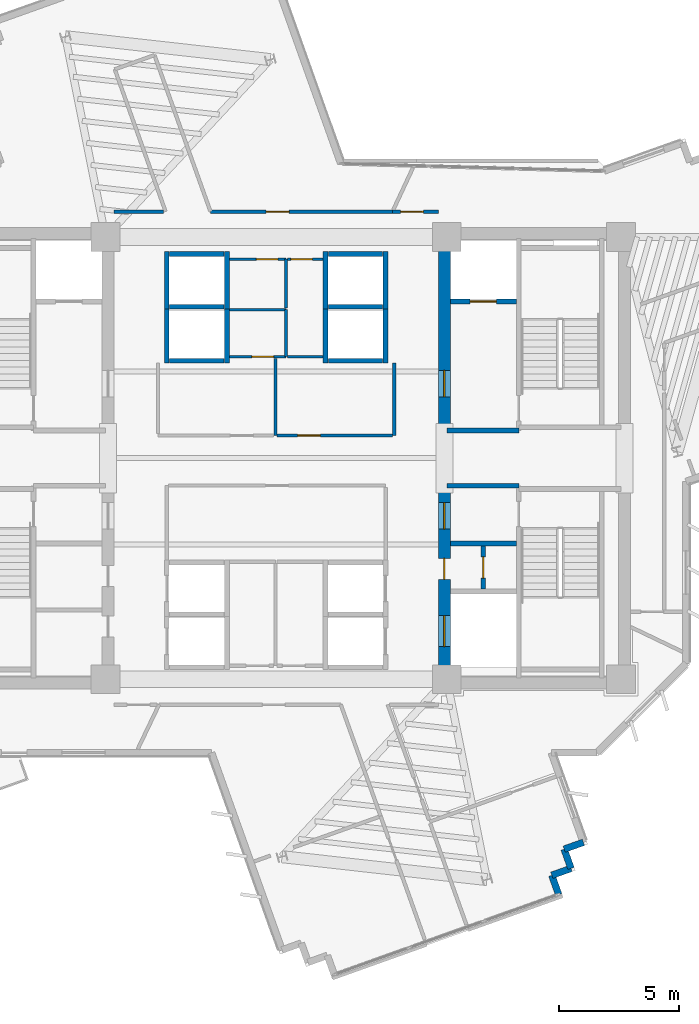
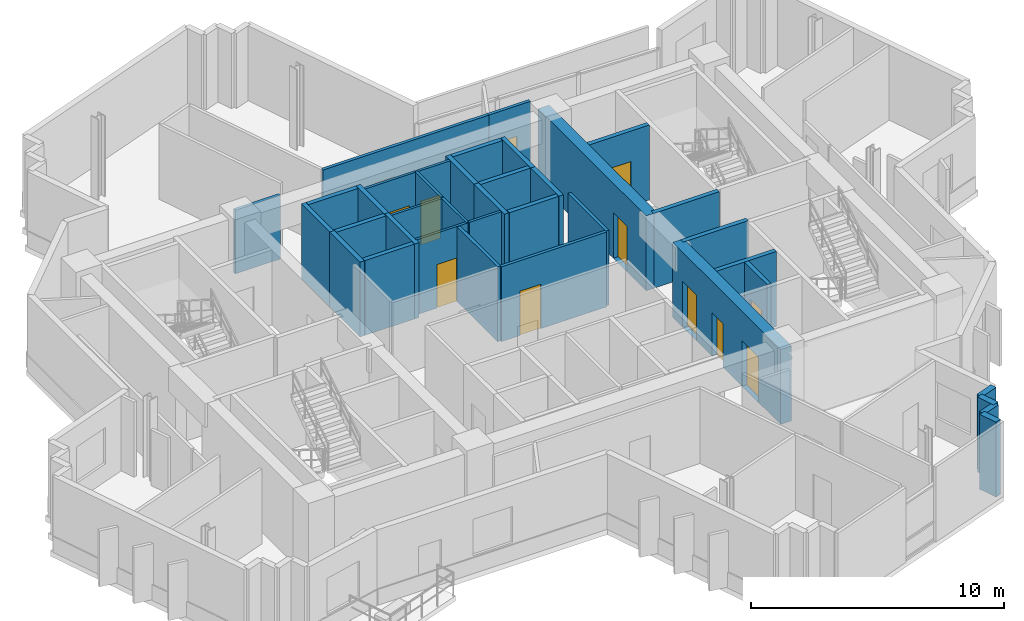
# One storey, part 8 of 13: 38 walls, 12 doors, 12 openings.
"""IFC4 building model written with IfcOpenShell, lengths in metres."""

from ifc_helpers import new_model, si_unit, direction, frame, frame_2d, origin, place, context, subcontext, project, spatial, rectangle, extrude, source, transform, mapped, material, layer, layer_set, type_object, element, fill, save


model = new_model("IFC4")

# Units and contexts
model_context = context("Model", 3, precision=1e-05, world=origin(), true_north=direction((0.0, 1.0)))
body_context = subcontext(model_context, "Body", "Model", "MODEL_VIEW")
ifc_project = project(units=[si_unit("LENGTHUNIT", "METRE"), si_unit("AREAUNIT", "SQUARE_METRE"), si_unit("VOLUMEUNIT", "CUBIC_METRE"), si_unit("PLANEANGLEUNIT", "RADIAN"), si_unit("MASSUNIT", "GRAM", prefix="KILO")], contexts=[model_context])

# Site, building, storey
site_placement = place(None, origin())
site = spatial("IfcSite", under=ifc_project, at=site_placement, CompositionType="ELEMENT")
building_placement = place(site_placement, origin())
building = spatial("IfcBuilding", under=site, at=building_placement, Name="Zahravan Cultural Tower", CompositionType="ELEMENT")
storey_placement = place(building_placement, frame((0.0, 0.0, 221.39990234375)))
storey = spatial("IfcBuildingStorey", under=building, at=storey_placement, Name="L52", CompositionType="ELEMENT", Elevation=221.39990234375)

# Wall, openings, doors
ifc_material_1 = material(Name="Concrete C60/75", Category="concrete")
ifc_layer_1 = layer(ifc_material_1, 0.5)
ifc_layer_set_1 = layer_set([ifc_layer_1], Name="Concrete C60/75")
wall_type_1 = type_object("IfcWallType", Name="CW-SHEAR-500-C60", PredefinedType="SHEAR", material=ifc_layer_set_1)
wall_1_placement = place(storey_placement, frame((43.0, 17.39990234375, 0.0), z_axis=(0.0, 0.0, 1.0), x_axis=(0.0, 1.0, 0.0)))
wall_1 = element("IfcWall", 1, at=wall_1_placement, inside=storey, type_object=wall_type_1, Name="L52 Core Shear Wall CW-E-WS-L52", PredefinedType="SHEAR", context=body_context, shape_type="SweptSolid", body=[
    extrude(rectangle(XDim=8.550048828125, YDim=0.5, at=frame_2d((4.27490234375, 0.0))), origin(), (0.0, 0.0, 1.0), 3.6201171875),
])
opening_1_placement = place(wall_1_placement, frame((6.64990234375, 0.0, 0.0)))
opening_1 = element("IfcOpeningElement", 2, at=opening_1_placement, cuts=wall_1, Name="Opening D-L52-08", PredefinedType="OPENING", context=body_context, shape_type="SweptSolid", body=[
    extrude(rectangle(XDim=1.10009765625, YDim=2.199951171875, at=frame_2d((0.550048828125, 1.10009765625))), frame((0.0, 0.260009765625, 0.0), z_axis=(0.0, -1.0, 0.0), x_axis=(1.0, 0.0, 0.0)), (0.0, 0.0, 1.0), 0.52001953125),
])
opening_2_placement = place(wall_1_placement, frame((1.75, 0.0, 0.0)))
opening_2 = element("IfcOpeningElement", 3, at=opening_2_placement, cuts=wall_1, Name="Opening LD-L52-03", PredefinedType="OPENING", context=body_context, shape_type="SweptSolid", body=[
    extrude(rectangle(XDim=1.300048828125, YDim=2.199951171875, at=frame_2d((0.64990234375, 1.10009765625))), frame((0.0, 0.260009765625, 0.0), z_axis=(0.0, -1.0, 0.0), x_axis=(1.0, 0.0, 0.0)), (0.0, 0.0, 1.0), 0.52001953125),
])
opening_3_placement = place(wall_1_placement, frame((4.550048828125, 0.0, 0.0)))
opening_3 = element("IfcOpeningElement", 4, at=opening_3_placement, cuts=wall_1, Name="Opening D-L52-11", PredefinedType="OPENING", context=body_context, shape_type="SweptSolid", body=[
    extrude(rectangle(XDim=0.8798828125, YDim=2.10009765625, at=frame_2d((0.43994140625, 1.050048828125))), frame((0.0, 0.260009765625, 0.0), z_axis=(0.0, -1.0, 0.0), x_axis=(1.0, 0.0, 0.0)), (0.0, 0.0, 1.0), 0.52001953125),
])
ifc_material_2 = material(Name="Steel ASTM A572 Grade 50", Category="steel")
door_type_1 = type_object("IfcDoorType", Name="DR-LOBBY-1100", OperationType="NOTDEFINED", PredefinedType="DOOR", material=ifc_material_2)
shared_shape_1 = source(origin(), body_context, "Body", "SweptSolid", [
    extrude(rectangle(XDim=1.10009765625, YDim=2.199951171875, at=frame_2d((0.550048828125, 1.10009765625))), frame((0.0, 0.02490234375, 0.0), z_axis=(0.0, -1.0, 0.0), x_axis=(1.0, 0.0, 0.0)), (0.0, 0.0, 1.0), 0.050048828125),
])
door_1_placement = place(opening_1_placement, origin())
door_1 = element("IfcDoor", 5, at=door_1_placement, inside=storey, type_object=door_type_1, Name="L52 Door D-L52-08", OperationType="SINGLE_SWING_LEFT", OverallHeight=2.199951171875, OverallWidth=1.10009765625, PredefinedType="DOOR", context=body_context, shape_type="MappedRepresentation", body=[
    mapped(shared_shape_1, transform((0.0, 0.0, 0.0), x_axis=(1.0, 0.0, 0.0), y_axis=(0.0, 1.0, 0.0), z_axis=(0.0, 0.0, 1.0), scale=1.0)),
])
fill(opening_1, door_1)
door_type_2 = type_object("IfcDoorType", Name="DR-LIFT-1300", OperationType="DOUBLE_DOOR_SLIDING", PredefinedType="DOOR", material=ifc_material_2)
shared_shape_2 = source(origin(), body_context, "Body", "SweptSolid", [
    extrude(rectangle(XDim=1.300048828125, YDim=2.199951171875, at=frame_2d((0.64990234375, 1.10009765625))), frame((0.0, 0.02490234375, 0.0), z_axis=(0.0, -1.0, 0.0), x_axis=(1.0, 0.0, 0.0)), (0.0, 0.0, 1.0), 0.050048828125),
])
door_2_placement = place(opening_2_placement, origin())
door_2 = element("IfcDoor", 6, at=door_2_placement, inside=storey, type_object=door_type_2, Name="L52 Door LD-L52-03", OperationType="DOUBLE_DOOR_SLIDING", OverallHeight=2.199951171875, OverallWidth=1.300048828125, PredefinedType="DOOR", context=body_context, shape_type="MappedRepresentation", body=[
    mapped(shared_shape_2, transform((0.0, 0.0, 0.0), x_axis=(1.0, 0.0, 0.0), y_axis=(0.0, 1.0, 0.0), z_axis=(0.0, 0.0, 1.0), scale=1.0)),
])
fill(opening_2, door_2)
door_type_3 = type_object("IfcDoorType", Name="DR-SVC-880", OperationType="NOTDEFINED", PredefinedType="DOOR", material=ifc_material_2)
shared_shape_3 = source(origin(), body_context, "Body", "SweptSolid", [
    extrude(rectangle(XDim=0.8798828125, YDim=2.10009765625, at=frame_2d((0.43994140625, 1.050048828125))), frame((0.0, 0.02490234375, 0.0), z_axis=(0.0, -1.0, 0.0), x_axis=(1.0, 0.0, 0.0)), (0.0, 0.0, 1.0), 0.050048828125),
])
door_3_placement = place(opening_3_placement, origin())
door_3 = element("IfcDoor", 7, at=door_3_placement, inside=storey, type_object=door_type_3, Name="L52 Door D-L52-11", OperationType="SINGLE_SWING_RIGHT", OverallHeight=2.10009765625, OverallWidth=0.8798828125, PredefinedType="DOOR", context=body_context, shape_type="MappedRepresentation", body=[
    mapped(shared_shape_3, transform((0.0, 0.0, 0.0), x_axis=(1.0, 0.0, 0.0), y_axis=(0.0, 1.0, 0.0), z_axis=(0.0, 0.0, 1.0), scale=1.0)),
])
fill(opening_3, door_3)

# Wall, opening, door
wall_2_placement = place(storey_placement, frame((43.0, 28.050048828125, 0.0), z_axis=(0.0, 0.0, 1.0), x_axis=(0.0, 1.0, 0.0)))
wall_2 = element("IfcWall", 8, at=wall_2_placement, inside=storey, type_object=wall_type_1, Name="L52 Core Shear Wall CW-E-WN-L52", PredefinedType="SHEAR", context=body_context, shape_type="SweptSolid", body=[
    extrude(rectangle(XDim=8.550048828125, YDim=0.5, at=frame_2d((4.27490234375, 0.0))), origin(), (0.0, 0.0, 1.0), 3.6201171875),
])
opening_4_placement = place(wall_2_placement, frame((1.5, 0.0, 0.0)))
opening_4 = element("IfcOpeningElement", 9, at=opening_4_placement, cuts=wall_2, Name="Opening D-L52-06", PredefinedType="OPENING", context=body_context, shape_type="SweptSolid", body=[
    extrude(rectangle(XDim=1.10009765625, YDim=2.199951171875, at=frame_2d((0.550048828125, 1.10009765625))), frame((0.0, 0.260009765625, 0.0), z_axis=(0.0, -1.0, 0.0), x_axis=(1.0, 0.0, 0.0)), (0.0, 0.0, 1.0), 0.52001953125),
])
door_4_placement = place(opening_4_placement, origin())
door_4 = element("IfcDoor", 10, at=door_4_placement, inside=storey, type_object=door_type_1, Name="L52 Door D-L52-06", OperationType="SINGLE_SWING_LEFT", OverallHeight=2.199951171875, OverallWidth=1.10009765625, PredefinedType="DOOR", context=body_context, shape_type="MappedRepresentation", body=[
    mapped(shared_shape_1, transform((0.0, 0.0, 0.0), x_axis=(1.0, 0.0, 0.0), y_axis=(0.0, 1.0, 0.0), z_axis=(0.0, 0.0, 1.0), scale=1.0)),
])
fill(opening_4, door_4)

ifc_material_3 = material(Name="Gypsum plasterboard partition")
ifc_layer_2 = layer(ifc_material_3, 0.179931640625)
ifc_layer_set_2 = layer_set([ifc_layer_2], Name="Gypsum plasterboard partition")
wall_type_2 = type_object("IfcWallType", Name="W-COMP-180", PredefinedType="PARTITIONING", material=ifc_layer_set_2)
wall_3_placement = place(storey_placement, frame((44.6201171875, 21.550048828125, 0.0), z_axis=(0.0, 0.0, 1.0), x_axis=(0.0, 1.0, 0.0)))
wall_3 = element("IfcWall", 11, at=wall_3_placement, inside=storey, type_object=wall_type_2, Name="L52 Interior Wall 027", PredefinedType="PARTITIONING", context=body_context, shape_type="SweptSolid", body=[
    extrude(rectangle(XDim=1.800048828125, YDim=0.179931640625, at=frame_2d((0.89990234375, 0.0))), origin(), (0.0, 0.0, 1.0), 3.6201171875),
])
opening_5_placement = place(wall_3_placement, frame((0.4599609375, 0.0, 0.0)))
opening_5 = element("IfcOpeningElement", 12, at=opening_5_placement, cuts=wall_3, Name="Opening D-L52-12", PredefinedType="OPENING", context=body_context, shape_type="SweptSolid", body=[
    extrude(rectangle(XDim=0.8798828125, YDim=2.10009765625, at=frame_2d((0.43994140625, 1.050048828125))), frame((0.0, 0.099853515625, 0.0), z_axis=(0.0, -1.0, 0.0), x_axis=(1.0, 0.0, 0.0)), (0.0, 0.0, 1.0), 0.199951171875),
])
door_5_placement = place(opening_5_placement, origin())
door_5 = element("IfcDoor", 13, at=door_5_placement, inside=storey, type_object=door_type_3, Name="L52 Door D-L52-12", OperationType="SINGLE_SWING_LEFT", OverallHeight=2.10009765625, OverallWidth=0.8798828125, PredefinedType="DOOR", context=body_context, shape_type="MappedRepresentation", body=[
    mapped(shared_shape_3, transform((0.0, 0.0, 0.0), x_axis=(1.0, 0.0, 0.0), y_axis=(0.0, 1.0, 0.0), z_axis=(0.0, 0.0, 1.0), scale=1.0)),
])
fill(opening_5, door_5)

ifc_layer_3 = layer(ifc_material_3, 0.139892578125)
ifc_layer_set_3 = layer_set([ifc_layer_3], Name="Gypsum plasterboard partition")
wall_type_3 = type_object("IfcWallType", Name="W-PART-140", PredefinedType="PARTITIONING", material=ifc_layer_set_3)
wall_4_placement = place(storey_placement, frame((40.844970703125, 27.93994140625, 0.0), z_axis=(0.0, 0.0, 1.0), x_axis=(-1.0, 0.0, 0.0)))
wall_4 = element("IfcWall", 14, at=wall_4_placement, inside=storey, type_object=wall_type_3, Name="L52 Interior Wall 082", PredefinedType="PARTITIONING", context=body_context, shape_type="SweptSolid", body=[
    extrude(rectangle(XDim=4.800048828125, YDim=0.139892578125, at=frame_2d((2.39990234375, 0.0))), origin(), (0.0, 0.0, 1.0), 3.6201171875),
])
opening_6_placement = place(wall_4_placement, frame((3.0029296875, 0.0, 0.0)))
opening_6 = element("IfcOpeningElement", 15, at=opening_6_placement, cuts=wall_4, Name="Opening D-L52-17", PredefinedType="OPENING", context=body_context, shape_type="SweptSolid", body=[
    extrude(rectangle(XDim=0.949951171875, YDim=2.14990234375, at=frame_2d((0.47509765625, 1.074951171875))), frame((0.0, 0.079833984375, 0.0), z_axis=(0.0, -1.0, 0.0), x_axis=(1.0, 0.0, 0.0)), (0.0, 0.0, 1.0), 0.159912109375),
])
ifc_material_4 = material(Name="Anodised bronze-aluminium mullion", Category="aluminium")
door_type_4 = type_object("IfcDoorType", Name="DR-ROOM-950", OperationType="NOTDEFINED", PredefinedType="DOOR", material=ifc_material_4)
shared_shape_4 = source(origin(), body_context, "Body", "SweptSolid", [
    extrude(rectangle(XDim=0.949951171875, YDim=2.14990234375, at=frame_2d((0.47509765625, 1.074951171875))), frame((0.0, 0.02490234375, 0.0), z_axis=(0.0, -1.0, 0.0), x_axis=(1.0, 0.0, 0.0)), (0.0, 0.0, 1.0), 0.050048828125),
])
door_6_placement = place(opening_6_placement, origin())
door_6 = element("IfcDoor", 16, at=door_6_placement, inside=storey, type_object=door_type_4, Name="L52 Door D-L52-17", OperationType="SINGLE_SWING_RIGHT", OverallHeight=2.14990234375, OverallWidth=0.949951171875, PredefinedType="DOOR", context=body_context, shape_type="MappedRepresentation", body=[
    mapped(shared_shape_4, transform((0.0, 0.0, 0.0), x_axis=(1.0, 0.0, 0.0), y_axis=(0.0, 1.0, 0.0), z_axis=(0.0, 0.0, 1.0), scale=1.0)),
])
fill(opening_6, door_6)

wall_5_placement = place(storey_placement, frame((42.748291015625, 37.25732421875, 0.0), z_axis=(0.0, 0.0, 1.0), x_axis=(-0.999999008896, 0.001407908498, 0.0)))
wall_5 = element("IfcWall", 17, at=wall_5_placement, inside=storey, type_object=wall_type_3, Name="L52 Interior Wall 102", PredefinedType="PARTITIONING", context=body_context, shape_type="SweptSolid", body=[
    extrude(rectangle(XDim=1.907470703125, YDim=0.139892578125, at=frame_2d((0.95361328125, 0.0))), origin(), (0.0, 0.0, 1.0), 3.6201171875),
])
opening_7_placement = place(wall_5_placement, frame((0.622314453125, 0.0, 0.0)))
opening_7 = element("IfcOpeningElement", 18, at=opening_7_placement, cuts=wall_5, Name="Opening D-L52-22", PredefinedType="OPENING", context=body_context, shape_type="SweptSolid", body=[
    extrude(rectangle(XDim=0.949951171875, YDim=2.14990234375, at=frame_2d((0.47509765625, 1.074951171875))), frame((0.0, 0.079833984375, 0.0), z_axis=(0.0, -1.0, 0.0), x_axis=(1.0, 0.0, 0.0)), (0.0, 0.0, 1.0), 0.159912109375),
])
door_7_placement = place(opening_7_placement, origin())
door_7 = element("IfcDoor", 19, at=door_7_placement, inside=storey, type_object=door_type_4, Name="L52 Door D-L52-22", OperationType="SINGLE_SWING_LEFT", OverallHeight=2.14990234375, OverallWidth=0.949951171875, PredefinedType="DOOR", context=body_context, shape_type="MappedRepresentation", body=[
    mapped(shared_shape_4, transform((0.0, 0.0, 0.0), x_axis=(1.0, 0.0, 0.0), y_axis=(0.0, 1.0, 0.0), z_axis=(0.0, 0.0, 1.0), scale=1.0)),
])
fill(opening_7, door_7)

wall_6_placement = place(storey_placement, frame((40.8408203125, 37.260009765625, 0.0), z_axis=(0.0, 0.0, 1.0), x_axis=(-1.0, 0.0, 0.0)))
wall_6 = element("IfcWall", 20, at=wall_6_placement, inside=storey, type_object=wall_type_3, Name="L52 Interior Wall 109", PredefinedType="PARTITIONING", context=body_context, shape_type="SweptSolid", body=[
    extrude(rectangle(XDim=7.5732421875, YDim=0.139892578125, at=frame_2d((3.78662109375, 0.0))), origin(), (0.0, 0.0, 1.0), 3.6201171875),
])
opening_8_placement = place(wall_6_placement, frame((4.304931640625, 0.0, 0.0)))
opening_8 = element("IfcOpeningElement", 21, at=opening_8_placement, cuts=wall_6, Name="Opening D-L52-23", PredefinedType="OPENING", context=body_context, shape_type="SweptSolid", body=[
    extrude(rectangle(XDim=0.949951171875, YDim=2.14990234375, at=frame_2d((0.47509765625, 1.074951171875))), frame((0.0, 0.079833984375, 0.0), z_axis=(0.0, -1.0, 0.0), x_axis=(1.0, 0.0, 0.0)), (0.0, 0.0, 1.0), 0.159912109375),
])
door_8_placement = place(opening_8_placement, origin())
door_8 = element("IfcDoor", 22, at=door_8_placement, inside=storey, type_object=door_type_4, Name="L52 Door D-L52-23", OperationType="SINGLE_SWING_RIGHT", OverallHeight=2.14990234375, OverallWidth=0.949951171875, PredefinedType="DOOR", context=body_context, shape_type="MappedRepresentation", body=[
    mapped(shared_shape_4, transform((0.0, 0.0, 0.0), x_axis=(1.0, 0.0, 0.0), y_axis=(0.0, 1.0, 0.0), z_axis=(0.0, 0.0, 1.0), scale=1.0)),
])
fill(opening_8, door_8)

ifc_material_5 = material(Name="Concrete C45/55", Category="concrete")
ifc_layer_4 = layer(ifc_material_5, 0.199951171875)
ifc_layer_set_4 = layer_set([ifc_layer_4], Name="Concrete C45/55")
wall_type_4 = type_object("IfcWallType", Name="W-SHAFT-200", PredefinedType="SOLIDWALL", material=ifc_layer_set_4)
wall_7_placement = place(storey_placement, frame((43.25, 33.52001953125, 0.0), z_axis=(0.0, 0.0, 1.0), x_axis=(1.0, 0.0, 0.0)))
wall_7 = element("IfcWall", 23, at=wall_7_placement, inside=storey, type_object=wall_type_4, Name="L52 Interior Wall 022", PredefinedType="SOLIDWALL", context=body_context, shape_type="SweptSolid", body=[
    extrude(rectangle(XDim=2.75, YDim=0.199951171875, at=frame_2d((1.375, 0.0))), origin(), (0.0, 0.0, 1.0), 3.6201171875),
])
opening_9_placement = place(wall_7_placement, frame((0.820068359375, 0.0, 0.0)))
opening_9 = element("IfcOpeningElement", 24, at=opening_9_placement, cuts=wall_7, Name="Opening LD-L52-02", PredefinedType="OPENING", context=body_context, shape_type="SweptSolid", body=[
    extrude(rectangle(XDim=1.10009765625, YDim=2.14990234375, at=frame_2d((0.550048828125, 1.074951171875))), frame((0.0, 0.10986328125, 0.0), z_axis=(0.0, -1.0, 0.0), x_axis=(1.0, 0.0, 0.0)), (0.0, 0.0, 1.0), 0.219970703125),
])
door_type_5 = type_object("IfcDoorType", Name="DR-LIFT-1100", OperationType="DOUBLE_DOOR_SLIDING", PredefinedType="DOOR", material=ifc_material_2)
shared_shape_5 = source(origin(), body_context, "Body", "SweptSolid", [
    extrude(rectangle(XDim=1.10009765625, YDim=2.14990234375, at=frame_2d((0.550048828125, 1.074951171875))), frame((0.0, 0.02490234375, 0.0), z_axis=(0.0, -1.0, 0.0), x_axis=(1.0, 0.0, 0.0)), (0.0, 0.0, 1.0), 0.050048828125),
])
door_9_placement = place(opening_9_placement, origin())
door_9 = element("IfcDoor", 25, at=door_9_placement, inside=storey, type_object=door_type_5, Name="L52 Door LD-L52-02", OperationType="DOUBLE_DOOR_SLIDING", OverallHeight=2.14990234375, OverallWidth=1.10009765625, PredefinedType="DOOR", context=body_context, shape_type="MappedRepresentation", body=[
    mapped(shared_shape_5, transform((0.0, 0.0, 0.0), x_axis=(1.0, 0.0, 0.0), y_axis=(0.0, 1.0, 0.0), z_axis=(0.0, 0.0, 1.0), scale=1.0)),
])
fill(opening_9, door_9)

ifc_layer_5 = layer(ifc_material_3, 0.114990234375)
ifc_layer_set_5 = layer_set([ifc_layer_5], Name="Gypsum plasterboard partition")
wall_type_5 = type_object("IfcWallType", Name="W-WC-115", PredefinedType="PARTITIONING", material=ifc_layer_set_5)
wall_8_placement = place(storey_placement, frame((36.409912109375, 31.219970703125, 0.0), z_axis=(0.0, 0.0, 1.0), x_axis=(-1.0, 0.0, 0.0)))
wall_8 = element("IfcWall", 26, at=wall_8_placement, inside=storey, type_object=wall_type_5, Name="L52 Interior Wall 056", PredefinedType="PARTITIONING", context=body_context, shape_type="SweptSolid", body=[
    extrude(rectangle(XDim=2.35498046875, YDim=0.114990234375, at=frame_2d((1.177490234375, 0.0))), origin(), (0.0, 0.0, 1.0), 3.6201171875),
])
opening_10_placement = place(wall_8_placement, frame((0.5166015625, 0.0, 0.0)))
opening_10 = element("IfcOpeningElement", 27, at=opening_10_placement, cuts=wall_8, Name="Opening D-L52-29", PredefinedType="OPENING", context=body_context, shape_type="SweptSolid", body=[
    extrude(rectangle(XDim=0.89990234375, YDim=2.10009765625, at=frame_2d((0.449951171875, 1.050048828125))), frame((0.0, 0.0673828125, 0.0), z_axis=(0.0, -1.0, 0.0), x_axis=(1.0, 0.0, 0.0)), (0.0, 0.0, 1.0), 0.135009765625),
])
door_type_6 = type_object("IfcDoorType", Name="DR-WC-900", OperationType="NOTDEFINED", PredefinedType="DOOR", material=ifc_material_4)
shared_shape_6 = source(origin(), body_context, "Body", "SweptSolid", [
    extrude(rectangle(XDim=0.89990234375, YDim=2.10009765625, at=frame_2d((0.449951171875, 1.050048828125))), frame((0.0, 0.02490234375, 0.0), z_axis=(0.0, -1.0, 0.0), x_axis=(1.0, 0.0, 0.0)), (0.0, 0.0, 1.0), 0.050048828125),
])
door_10_placement = place(opening_10_placement, origin())
door_10 = element("IfcDoor", 28, at=door_10_placement, inside=storey, type_object=door_type_6, Name="L52 Door D-L52-29", OperationType="SINGLE_SWING_RIGHT", OverallHeight=2.10009765625, OverallWidth=0.89990234375, PredefinedType="DOOR", context=body_context, shape_type="MappedRepresentation", body=[
    mapped(shared_shape_6, transform((0.0, 0.0, 0.0), x_axis=(1.0, 0.0, 0.0), y_axis=(0.0, 1.0, 0.0), z_axis=(0.0, 0.0, 1.0), scale=1.0)),
])
fill(opening_10, door_10)

wall_9_placement = place(storey_placement, frame((34.054931640625, 35.280029296875, 0.0), z_axis=(0.0, 0.0, 1.0), x_axis=(1.0, 0.0, 0.0)))
wall_9 = element("IfcWall", 29, at=wall_9_placement, inside=storey, type_object=wall_type_5, Name="L52 Interior Wall 059", PredefinedType="PARTITIONING", context=body_context, shape_type="SweptSolid", body=[
    extrude(rectangle(XDim=2.35498046875, YDim=0.114990234375, at=frame_2d((1.177490234375, 0.0))), origin(), (0.0, 0.0, 1.0), 3.6201171875),
])
opening_11_placement = place(wall_9_placement, frame((1.120849609375, 0.0, 0.0)))
opening_11 = element("IfcOpeningElement", 30, at=opening_11_placement, cuts=wall_9, Name="Opening D-L52-14", PredefinedType="OPENING", context=body_context, shape_type="SweptSolid", body=[
    extrude(rectangle(XDim=0.89990234375, YDim=2.10009765625, at=frame_2d((0.449951171875, 1.050048828125))), frame((0.0, 0.0673828125, 0.0), z_axis=(0.0, -1.0, 0.0), x_axis=(1.0, 0.0, 0.0)), (0.0, 0.0, 1.0), 0.135009765625),
])
door_11_placement = place(opening_11_placement, origin())
door_11 = element("IfcDoor", 31, at=door_11_placement, inside=storey, type_object=door_type_6, Name="L52 Door D-L52-14", OperationType="SINGLE_SWING_LEFT", OverallHeight=2.10009765625, OverallWidth=0.89990234375, PredefinedType="DOOR", context=body_context, shape_type="MappedRepresentation", body=[
    mapped(shared_shape_6, transform((0.0, 0.0, 0.0), x_axis=(1.0, 0.0, 0.0), y_axis=(0.0, 1.0, 0.0), z_axis=(0.0, 0.0, 1.0), scale=1.0)),
])
fill(opening_11, door_11)

wall_10_placement = place(storey_placement, frame((36.472412109375, 35.280029296875, 0.0), z_axis=(0.0, 0.0, 1.0), x_axis=(1.0, 0.0, 0.0)))
wall_10 = element("IfcWall", 32, at=wall_10_placement, inside=storey, type_object=wall_type_5, Name="L52 Interior Wall 062", PredefinedType="PARTITIONING", context=body_context, shape_type="SweptSolid", body=[
    extrude(rectangle(XDim=1.47265625, YDim=0.114990234375, at=frame_2d((0.736328125, 0.0))), origin(), (0.0, 0.0, 1.0), 3.6201171875),
])
opening_12_placement = place(wall_10_placement, frame((0.139892578125, 0.0, 0.0)))
opening_12 = element("IfcOpeningElement", 33, at=opening_12_placement, cuts=wall_10, Name="Opening D-L52-15", PredefinedType="OPENING", context=body_context, shape_type="SweptSolid", body=[
    extrude(rectangle(XDim=0.89990234375, YDim=2.10009765625, at=frame_2d((0.449951171875, 1.050048828125))), frame((0.0, 0.0673828125, 0.0), z_axis=(0.0, -1.0, 0.0), x_axis=(1.0, 0.0, 0.0)), (0.0, 0.0, 1.0), 0.135009765625),
])
door_12_placement = place(opening_12_placement, origin())
door_12 = element("IfcDoor", 34, at=door_12_placement, inside=storey, type_object=door_type_6, Name="L52 Door D-L52-15", OperationType="SINGLE_SWING_RIGHT", OverallHeight=2.10009765625, OverallWidth=0.89990234375, PredefinedType="DOOR", context=body_context, shape_type="MappedRepresentation", body=[
    mapped(shared_shape_6, transform((0.0, 0.0, 0.0), x_axis=(1.0, 0.0, 0.0), y_axis=(0.0, 1.0, 0.0), z_axis=(0.0, 0.0, 1.0), scale=1.0)),
])
fill(opening_12, door_12)

# Walls
ifc_material_6 = material(Name="Precast concrete C40/50", Category="concrete")
ifc_layer_6 = layer(ifc_material_6, 0.280029296875)
ifc_layer_set_6 = layer_set([ifc_layer_6], Name="Precast concrete C40/50")
wall_type_6 = type_object("IfcWallType", Name="EW-TC-280", PredefinedType="SOLIDWALL", material=ifc_layer_set_6)
shared_shape_7 = source(origin(), body_context, "Body", "SweptSolid", [
    extrude(rectangle(XDim=0.85009765625, YDim=0.280029296875, at=frame_2d((0.425048828125, 0.0))), origin(), (0.0, 0.0, 1.0), 3.6201171875),
])
wall_11_placement = place(storey_placement, frame((48.787109375, 11.0107421875, 0.0), z_axis=(0.0, 0.0, 1.0), x_axis=(-0.941657417713, -0.336572886112, 0.0)))
element("IfcWall", 35, at=wall_11_placement, inside=storey, type_object=wall_type_6, Name="L52 Exterior Masonry Frame Wall 16", PredefinedType="SOLIDWALL", context=body_context, shape_type="MappedRepresentation", body=[
    mapped(shared_shape_7, transform((0.0, 0.0, 0.0), x_axis=(1.0, 0.0, 0.0), y_axis=(0.0, 1.0, 0.0), z_axis=(0.0, 0.0, 1.0), scale=1.0)),
])
shared_shape_8 = source(origin(), body_context, "Body", "SweptSolid", [
    extrude(rectangle(XDim=0.849853515625, YDim=0.280029296875, at=frame_2d((0.4248046875, 0.0))), origin(), (0.0, 0.0, 1.0), 3.6201171875),
])
for number, where, z_axis, x_axis, name in (
    (36, (47.986572265625, 10.724609375, 0.0), (0.0, 0.0, 1.0), (0.33666392638, -0.941624872587, 0.0), "L52 Exterior Masonry Frame Wall 17"),
    (37, (48.272705078125, 9.92431640625, 0.0), (0.0, 0.0, 1.0), (-0.941624872587, -0.33666392638, 0.0), "L52 Exterior Masonry Frame Wall 18"),
    (38, (47.472412109375, 9.63818359375, 0.0), (0.0, 0.0, 1.0), (0.336409191858, -0.941715910258, 0.0), "L52 Exterior Masonry Frame Wall 19"),
):
    element("IfcWall", number, at=place(storey_placement, frame(where, z_axis=z_axis, x_axis=x_axis)), inside=storey, type_object=wall_type_6, Name=name, PredefinedType="SOLIDWALL", context=body_context, shape_type="MappedRepresentation", body=[
        mapped(shared_shape_8, transform((0.0, 0.0, 0.0), x_axis=(1.0, 0.0, 0.0), y_axis=(0.0, 1.0, 0.0), z_axis=(0.0, 0.0, 1.0), scale=1.0)),
    ])
shared_shape_9 = source(origin(), body_context, "Body", "SweptSolid", [
    extrude(rectangle(XDim=3.0, YDim=0.199951171875, at=frame_2d((1.5, 0.0))), origin(), (0.0, 0.0, 1.0), 3.6201171875),
])
for number, where, z_axis, x_axis, name in (
    (39, (43.10009765625, 25.85009765625, 0.0), (0.0, 0.0, 1.0), (1.0, 0.0, 0.0), "L52 Interior Wall 013"),
    (40, (43.10009765625, 28.14990234375, 0.0), (0.0, 0.0, 1.0), (1.0, 0.0, 0.0), "L52 Interior Wall 015"),
):
    element("IfcWall", number, at=place(storey_placement, frame(where, z_axis=z_axis, x_axis=x_axis)), inside=storey, type_object=wall_type_4, Name=name, PredefinedType="SOLIDWALL", context=body_context, shape_type="MappedRepresentation", body=[
        mapped(shared_shape_9, transform((0.0, 0.0, 0.0), x_axis=(1.0, 0.0, 0.0), y_axis=(0.0, 1.0, 0.0), z_axis=(0.0, 0.0, 1.0), scale=1.0)),
    ])
shared_shape_10 = source(origin(), body_context, "Body", "SweptSolid", [
    extrude(rectangle(XDim=2.75, YDim=0.199951171875, at=frame_2d((1.375, 0.0))), origin(), (0.0, 0.0, 1.0), 3.6201171875),
])
wall_12_placement = place(storey_placement, frame((43.25, 23.449951171875, 0.0), z_axis=(0.0, 0.0, 1.0), x_axis=(1.0, 0.0, 0.0)))
element("IfcWall", 41, at=wall_12_placement, inside=storey, type_object=wall_type_4, Name="L52 Interior Wall 024", PredefinedType="SOLIDWALL", context=body_context, shape_type="MappedRepresentation", body=[
    mapped(shared_shape_10, transform((0.0, 0.0, 0.0), x_axis=(1.0, 0.0, 0.0), y_axis=(0.0, 1.0, 0.0), z_axis=(0.0, 0.0, 1.0), scale=1.0)),
])
shared_shape_11 = source(origin(), body_context, "Body", "SweptSolid", [
    extrude(rectangle(XDim=2.400146484375, YDim=0.199951171875, at=frame_2d((1.2001953125, 0.0))), origin(), (0.0, 0.0, 1.0), 3.6201171875),
])
for number, where, z_axis, x_axis, name in (
    (42, (31.449951171875, 33.199951171875, 0.0), (0.0, 0.0, 1.0), (0.0, 1.0, 0.0), "L52 Interior Wall 028"),
    (43, (33.949951171875, 33.199951171875, 0.0), (0.0, 0.0, 1.0), (0.0, 1.0, 0.0), "L52 Interior Wall 029"),
    (44, (31.449951171875, 30.949951171875, 0.0), (0.0, 0.0, 1.0), (0.0, 1.0, 0.0), "L52 Interior Wall 032"),
    (45, (33.949951171875, 30.949951171875, 0.0), (0.0, 0.0, 1.0), (0.0, 1.0, 0.0), "L52 Interior Wall 033"),
    (46, (38.050048828125, 33.199951171875, 0.0), (0.0, 0.0, 1.0), (0.0, 1.0, 0.0), "L52 Interior Wall 035"),
    (47, (40.550048828125, 33.199951171875, 0.0), (0.0, 0.0, 1.0), (0.0, 1.0, 0.0), "L52 Interior Wall 036"),
    (48, (38.050048828125, 30.949951171875, 0.0), (0.0, 0.0, 1.0), (0.0, 1.0, 0.0), "L52 Interior Wall 039"),
    (49, (40.550048828125, 30.949951171875, 0.0), (0.0, 0.0, 1.0), (0.0, 1.0, 0.0), "L52 Interior Wall 040"),
):
    element("IfcWall", number, at=place(storey_placement, frame(where, z_axis=z_axis, x_axis=x_axis)), inside=storey, type_object=wall_type_4, Name=name, PredefinedType="SOLIDWALL", context=body_context, shape_type="MappedRepresentation", body=[
        mapped(shared_shape_11, transform((0.0, 0.0, 0.0), x_axis=(1.0, 0.0, 0.0), y_axis=(0.0, 1.0, 0.0), z_axis=(0.0, 0.0, 1.0), scale=1.0)),
    ])
shared_shape_12 = source(origin(), body_context, "Body", "SweptSolid", [
    extrude(rectangle(XDim=2.260009765625, YDim=0.199951171875, at=frame_2d((1.1298828125, 0.0))), origin(), (0.0, 0.0, 1.0), 3.6201171875),
])
for number, where, z_axis, x_axis, name in (
    (50, (31.570068359375, 33.300048828125, 0.0), (0.0, 0.0, 1.0), (1.0, 0.0, 0.0), "L52 Interior Wall 030"),
    (51, (31.570068359375, 35.5, 0.0), (0.0, 0.0, 1.0), (1.0, 0.0, 0.0), "L52 Interior Wall 031"),
    (52, (31.570068359375, 31.050048828125, 0.0), (0.0, 0.0, 1.0), (1.0, 0.0, 0.0), "L52 Interior Wall 034"),
    (53, (38.169921875, 33.300048828125, 0.0), (0.0, 0.0, 1.0), (1.0, 0.0, 0.0), "L52 Interior Wall 037"),
    (54, (38.169921875, 35.5, 0.0), (0.0, 0.0, 1.0), (1.0, 0.0, 0.0), "L52 Interior Wall 038"),
    (55, (38.169921875, 31.050048828125, 0.0), (0.0, 0.0, 1.0), (1.0, 0.0, 0.0), "L52 Interior Wall 041"),
):
    element("IfcWall", number, at=place(storey_placement, frame(where, z_axis=z_axis, x_axis=x_axis)), inside=storey, type_object=wall_type_4, Name=name, PredefinedType="SOLIDWALL", context=body_context, shape_type="MappedRepresentation", body=[
        mapped(shared_shape_12, transform((0.0, 0.0, 0.0), x_axis=(1.0, 0.0, 0.0), y_axis=(0.0, 1.0, 0.0), z_axis=(0.0, 0.0, 1.0), scale=1.0)),
    ])
shared_shape_13 = source(origin(), body_context, "Body", "SweptSolid", [
    extrude(rectangle(XDim=1.9599609375, YDim=0.114990234375, at=frame_2d((0.97998046875, 0.0))), origin(), (0.0, 0.0, 1.0), 3.6201171875),
])
wall_13_placement = place(storey_placement, frame((36.409912109375, 33.179931640625, 0.0), z_axis=(0.0, 0.0, 1.0), x_axis=(0.0, -1.0, 0.0)))
element("IfcWall", 56, at=wall_13_placement, inside=storey, type_object=wall_type_5, Name="L52 Interior Wall 058", PredefinedType="PARTITIONING", context=body_context, shape_type="MappedRepresentation", body=[
    mapped(shared_shape_13, transform((0.0, 0.0, 0.0), x_axis=(1.0, 0.0, 0.0), y_axis=(0.0, 1.0, 0.0), z_axis=(0.0, 0.0, 1.0), scale=1.0)),
])
shared_shape_14 = source(origin(), body_context, "Body", "SweptSolid", [
    extrude(rectangle(XDim=2.0400390625, YDim=0.114990234375, at=frame_2d((1.02001953125, 0.0))), origin(), (0.0, 0.0, 1.0), 3.6201171875),
])
wall_14_placement = place(storey_placement, frame((36.409912109375, 35.280029296875, 0.0), z_axis=(0.0, 0.0, 1.0), x_axis=(0.0, -1.0, 0.0)))
element("IfcWall", 57, at=wall_14_placement, inside=storey, type_object=wall_type_5, Name="L52 Interior Wall 060", PredefinedType="PARTITIONING", context=body_context, shape_type="MappedRepresentation", body=[
    mapped(shared_shape_14, transform((0.0, 0.0, 0.0), x_axis=(1.0, 0.0, 0.0), y_axis=(0.0, 1.0, 0.0), z_axis=(0.0, 0.0, 1.0), scale=1.0)),
])
shared_shape_15 = source(origin(), body_context, "Body", "SweptSolid", [
    extrude(rectangle(XDim=1.47265625, YDim=0.114990234375, at=frame_2d((0.736328125, 0.0))), origin(), (0.0, 0.0, 1.0), 3.6201171875),
])
wall_15_placement = place(storey_placement, frame((37.945068359375, 31.219970703125, 0.0), z_axis=(0.0, 0.0, 1.0), x_axis=(-1.0, 0.0, 0.0)))
element("IfcWall", 58, at=wall_15_placement, inside=storey, type_object=wall_type_5, Name="L52 Interior Wall 061", PredefinedType="PARTITIONING", context=body_context, shape_type="MappedRepresentation", body=[
    mapped(shared_shape_15, transform((0.0, 0.0, 0.0), x_axis=(1.0, 0.0, 0.0), y_axis=(0.0, 1.0, 0.0), z_axis=(0.0, 0.0, 1.0), scale=1.0)),
])
shared_shape_16 = source(origin(), body_context, "Body", "SweptSolid", [
    extrude(rectangle(XDim=3.199951171875, YDim=0.139892578125, at=frame_2d((1.60009765625, 0.0))), origin(), (0.0, 0.0, 1.0), 3.6201171875),
])
wall_16_placement = place(storey_placement, frame((35.969970703125, 31.139892578125, 0.0), z_axis=(0.0, 0.0, 1.0), x_axis=(0.0, -1.0, 0.0)))
element("IfcWall", 59, at=wall_16_placement, inside=storey, type_object=wall_type_3, Name="L52 Interior Wall 078", PredefinedType="PARTITIONING", context=body_context, shape_type="MappedRepresentation", body=[
    mapped(shared_shape_16, transform((0.0, 0.0, 0.0), x_axis=(1.0, 0.0, 0.0), y_axis=(0.0, 1.0, 0.0), z_axis=(0.0, 0.0, 1.0), scale=1.0)),
])
shared_shape_17 = source(origin(), body_context, "Body", "SweptSolid", [
    extrude(rectangle(XDim=3.010009765625, YDim=0.139892578125, at=frame_2d((1.5048828125, 0.0))), origin(), (0.0, 0.0, 1.0), 3.6201171875),
])
wall_17_placement = place(storey_placement, frame((40.919921875, 30.949951171875, 0.0), z_axis=(0.0, 0.0, 1.0), x_axis=(0.0, -1.0, 0.0)))
element("IfcWall", 60, at=wall_17_placement, inside=storey, type_object=wall_type_3, Name="L52 Interior Wall 081", PredefinedType="PARTITIONING", context=body_context, shape_type="MappedRepresentation", body=[
    mapped(shared_shape_17, transform((0.0, 0.0, 0.0), x_axis=(1.0, 0.0, 0.0), y_axis=(0.0, 1.0, 0.0), z_axis=(0.0, 0.0, 1.0), scale=1.0)),
])
shared_shape_18 = source(origin(), body_context, "Body", "SweptSolid", [
    extrude(rectangle(XDim=2.35498046875, YDim=0.114990234375, at=frame_2d((1.177490234375, 0.0))), origin(), (0.0, 0.0, 1.0), 3.6201171875),
])
wall_18_placement = place(storey_placement, frame((34.054931640625, 33.179931640625, 0.0), z_axis=(0.0, 0.0, 1.0), x_axis=(1.0, 0.0, 0.0)))
element("IfcWall", 61, at=wall_18_placement, inside=storey, type_object=wall_type_5, Name="L52 Interior Wall 057", PredefinedType="PARTITIONING", context=body_context, shape_type="MappedRepresentation", body=[
    mapped(shared_shape_18, transform((0.0, 0.0, 0.0), x_axis=(1.0, 0.0, 0.0), y_axis=(0.0, 1.0, 0.0), z_axis=(0.0, 0.0, 1.0), scale=1.0)),
])
shared_shape_19 = source(origin(), body_context, "Body", "SweptSolid", [
    extrude(rectangle(XDim=2.06396484375, YDim=0.139892578125, at=frame_2d((1.031982421875, 0.0))), origin(), (0.0, 0.0, 1.0), 3.0791015625),
])
wall_19_placement = place(storey_placement, frame((31.31884765625, 37.260009765625, 0.0), z_axis=(0.0, 0.0, 1.0), x_axis=(-0.999999825102, -0.000591435903, 0.0)))
element("IfcWall", 62, at=wall_19_placement, inside=storey, type_object=wall_type_3, Name="L52 Interior Wall 113", PredefinedType="PARTITIONING", context=body_context, shape_type="MappedRepresentation", body=[
    mapped(shared_shape_19, transform((0.0, 0.0, 0.0), x_axis=(1.0, 0.0, 0.0), y_axis=(0.0, 1.0, 0.0), z_axis=(0.0, 0.0, 1.0), scale=1.0)),
])

save(model, "model.ifc")
